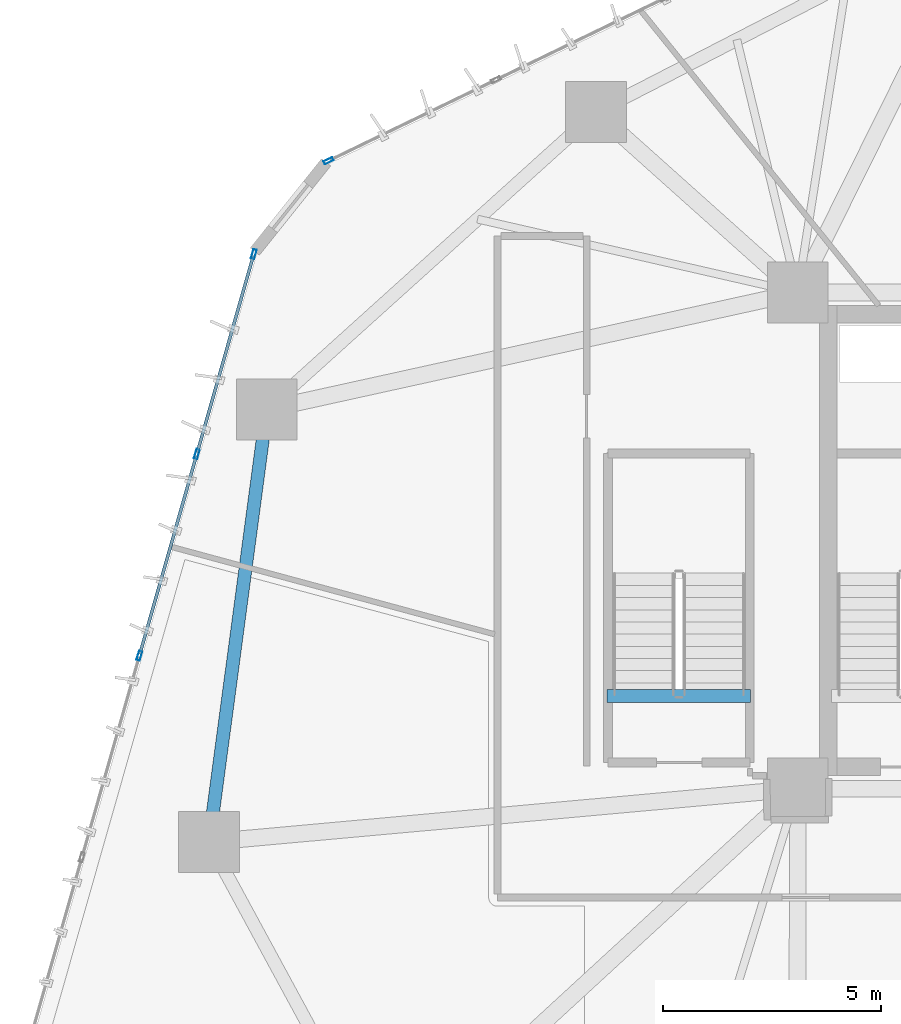
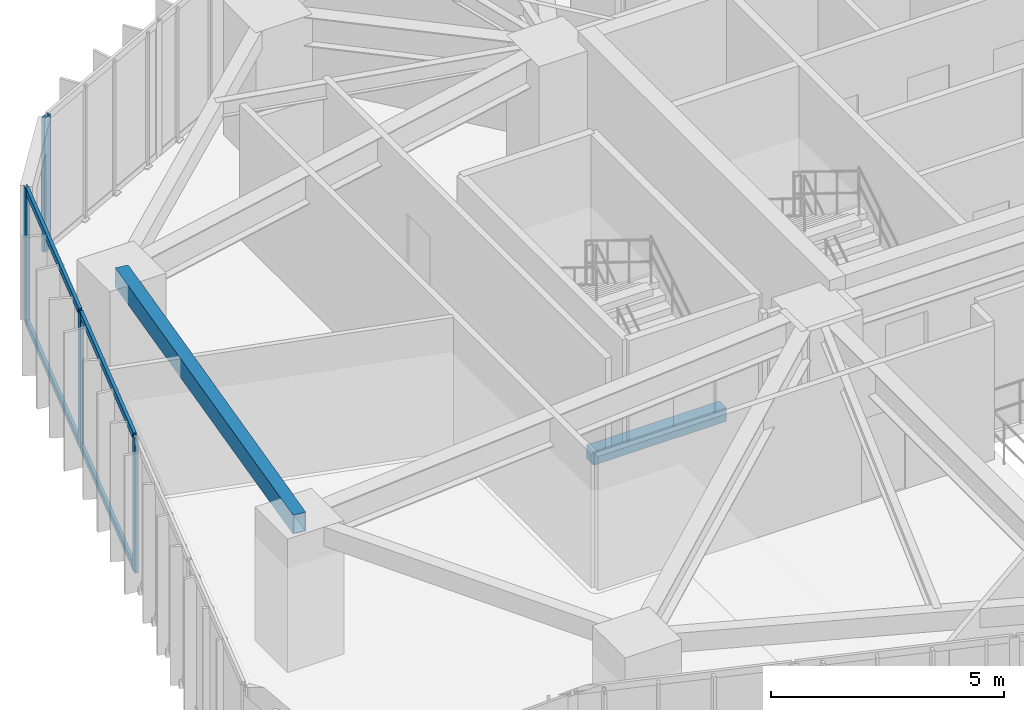
# One storey, part 6 of 23: 8 members, 2 beams, 2 elements without a shape of their own.
"""IFC4 building model written with IfcOpenShell, lengths in metres."""

from ifc_helpers import new_model, si_unit, direction, frame, origin, origin_2d, place, context, subcontext, project, spatial, rectangle, hollow_rectangle, extrude, source, transform, mapped, material, layer, layer_set, material_profile, profile_set, type_object, type_shapes, element, aggregate, save


model = new_model("IFC4")

# Units and contexts
model_context = context("Model", 3, precision=1e-05, world=origin(), true_north=direction((0.0, 1.0)))
body_context = subcontext(model_context, "Body", "Model", "MODEL_VIEW")
ifc_project = project(units=[si_unit("LENGTHUNIT", "METRE"), si_unit("AREAUNIT", "SQUARE_METRE"), si_unit("VOLUMEUNIT", "CUBIC_METRE"), si_unit("PLANEANGLEUNIT", "RADIAN"), si_unit("MASSUNIT", "GRAM", prefix="KILO")], contexts=[model_context])

# Site, building, storey
site_placement = place(None, origin())
site = spatial("IfcSite", under=ifc_project, at=site_placement, CompositionType="ELEMENT")
building_placement = place(site_placement, origin())
building = spatial("IfcBuilding", under=site, at=building_placement, Name="Talar Marvaseh", CompositionType="ELEMENT")
storey_placement = place(building_placement, frame((0.0, 0.0, 35.39990234375)))
storey = spatial("IfcBuildingStorey", under=building, at=storey_placement, Name="L08", CompositionType="ELEMENT", Elevation=35.39990234375)

# Beams
ifc_material_1 = material(Name="Concrete C40/50", Category="concrete")
ifc_material_profile_1 = material_profile(ifc_material_1, rectangle(XDim=0.300048828125, YDim=0.360107421875, at=origin_2d()), Name="RC300x360")
ifc_profile_set_1 = profile_set([ifc_material_profile_1], Name="Concrete C40/50")
beam_type_1 = type_object("IfcBeamType", Name="Concrete Stair Landing Trimmer Beam RC300x360", PredefinedType="SPANDREL", material=ifc_profile_set_1)
beam_1_placement = place(storey_placement, frame((17.6201171875, 27.6298828125, -0.179931640625), z_axis=(-1.0, 0.0, 0.0), x_axis=(0.0, -1.0, 0.0)))
element("IfcBeam", 1, at=beam_1_placement, inside=storey, type_object=beam_type_1, Name="L08 ST-3 Stair Nosing Trimmer Beam", PredefinedType="SPANDREL", context=body_context, shape_type="SweptSolid", body=[
    extrude(rectangle(XDim=0.300048828125, YDim=0.360107421875, at=origin_2d()), origin(), (0.0, 0.0, 1.0), 3.300048828125),
])
ifc_material_2 = material(Name="Steel S355", Category="steel")
ifc_material_profile_2 = material_profile(ifc_material_2, hollow_rectangle(XDim=0.300048828125, YDim=0.5, WallThickness=0.02001953125, at=origin_2d()), Name="RHS500x300x20")
ifc_profile_set_2 = profile_set([ifc_material_profile_2], Name="Steel S355")
beam_type_2 = type_object("IfcBeamType", Name="Zone 1 Perimeter Spandrel Beam RHS500x300x20", PredefinedType="SPANDREL", material=ifc_profile_set_2)
beam_2_placement = place(storey_placement, frame((5.175048828125, 24.27587890625, 3.27001953125), z_axis=(0.132340758564, 0.991204279461, 0.0), x_axis=(-0.991204279461, 0.132340758564, 0.0)))
element("IfcBeam", 2, at=beam_2_placement, inside=storey, type_object=beam_type_2, Name="L08 Zone 1 Perimeter Spandrel Beam RHS500x300x20", PredefinedType="SPANDREL", context=body_context, shape_type="SweptSolid", body=[
    extrude(hollow_rectangle(XDim=0.300048828125, YDim=0.5, WallThickness=0.02001953125, at=origin_2d()), origin(), (0.0, 0.0, 1.0), 10.0263671875),
])

# Curtain wall, members
ifc_material_3 = material(Name="Architectural Aluminium", Category="aluminium")
ifc_layer = layer(ifc_material_3, 0.219970703125)
ifc_layer_set = layer_set([ifc_layer], Name="Architectural Aluminium")
curtain_wall_type = type_object("IfcCurtainWallType", Name="Unitised Low-E Museum Curtain Wall Z1", PredefinedType="NOTDEFINED", material=ifc_layer_set)
curtain_wall_1_placement = place(storey_placement, origin())
curtain_wall_1 = element("IfcCurtainWall", 3, at=curtain_wall_1_placement, inside=storey, type_object=curtain_wall_type, Name="L08 Unitised Low-E Museum Curtain Wall Z1", PredefinedType="NOTDEFINED")
ifc_material_profile_3 = material_profile(ifc_material_3, hollow_rectangle(XDim=0.080078125, YDim=0.219970703125, WallThickness=0.0048828125, at=origin_2d()), Name="RHS220x80x5")
ifc_profile_set_3 = profile_set([ifc_material_profile_3], Name="Architectural Aluminium")
member_type_1 = type_object("IfcMemberType", Name="Unitised Curtain Wall Heavy Mullion RHS220x80x5", PredefinedType="MULLION", material=ifc_profile_set_3)
shared_shape_1 = source(origin(), body_context, "Body", "SweptSolid", [
    extrude(hollow_rectangle(XDim=0.080078125, YDim=0.219970703125, WallThickness=0.0048828125, at=origin_2d()), origin(), (0.0, 0.0, 1.0), 3.52001953125),
])
type_shapes(member_type_1, [shared_shape_1])
member_1_placement = place(storey_placement, frame((3.576416015625, 28.555908203125, 0.0), z_axis=(0.0, 0.0, 1.0), x_axis=(-0.961722496607, 0.274025253434, 0.0)))
member_1 = element("IfcMember", 4, at=member_1_placement, type_object=member_type_1, Name="CW-Z1 mullion 3", PredefinedType="MULLION", context=body_context, shape_type="MappedRepresentation", body=[
    mapped(shared_shape_1, transform((0.0, 0.0, 0.0), x_axis=(1.0, 0.0, 0.0), y_axis=(0.0, 1.0, 0.0), z_axis=(0.0, 0.0, 1.0), scale=1.0)),
])
member_2_placement = place(storey_placement, frame((4.896240234375, 33.18798828125, 0.0), z_axis=(0.0, 0.0, 1.0), x_axis=(-0.961722496607, 0.274025253434, 0.0)))
member_2 = element("IfcMember", 5, at=member_2_placement, type_object=member_type_1, Name="CW-Z1 mullion 4", PredefinedType="MULLION", context=body_context, shape_type="MappedRepresentation", body=[
    mapped(shared_shape_1, transform((0.0, 0.0, 0.0), x_axis=(1.0, 0.0, 0.0), y_axis=(0.0, 1.0, 0.0), z_axis=(0.0, 0.0, 1.0), scale=1.0)),
])
member_3_placement = place(storey_placement, frame((6.205322265625, 37.78173828125, 0.0), z_axis=(0.0, 0.0, 1.0), x_axis=(-0.961722496607, 0.274025253434, 0.0)))
member_3 = element("IfcMember", 6, at=member_3_placement, type_object=member_type_1, Name="CW-Z1 mullion 5", PredefinedType="MULLION", context=body_context, shape_type="MappedRepresentation", body=[
    mapped(shared_shape_1, transform((0.0, 0.0, 0.0), x_axis=(1.0, 0.0, 0.0), y_axis=(0.0, 1.0, 0.0), z_axis=(0.0, 0.0, 1.0), scale=1.0)),
])

# Curtain wall, member
curtain_wall_2_placement = place(storey_placement, origin())
curtain_wall_2 = element("IfcCurtainWall", 7, at=curtain_wall_2_placement, inside=storey, type_object=curtain_wall_type, Name="L08 Unitised Low-E Museum Curtain Wall Z1", PredefinedType="NOTDEFINED")
member_4_placement = place(storey_placement, frame((7.921142578125, 39.9248046875, 0.0), z_axis=(0.0, 0.0, 1.0), x_axis=(-0.435510159023, 0.900183815333, 0.0)))
member_4 = element("IfcMember", 8, at=member_4_placement, type_object=member_type_1, Name="CW-Z1 mullion 1", PredefinedType="MULLION", context=body_context, shape_type="MappedRepresentation", body=[
    mapped(shared_shape_1, transform((0.0, 0.0, 0.0), x_axis=(1.0, 0.0, 0.0), y_axis=(0.0, 1.0, 0.0), z_axis=(0.0, 0.0, 1.0), scale=1.0)),
])
aggregate(curtain_wall_2, [member_4])

# Member
ifc_material_profile_4 = material_profile(ifc_material_3, hollow_rectangle(XDim=0.074951171875, YDim=0.179931640625, WallThickness=0.0048828125, at=origin_2d()), Name="RHS180x75x5")
ifc_profile_set_4 = profile_set([ifc_material_profile_4], Name="Architectural Aluminium")
member_type_2 = type_object("IfcMemberType", Name="Unitised Curtain Wall Transom RHS180x75x5", PredefinedType="USERDEFINED", material=ifc_profile_set_4)
shared_shape_2 = source(origin(), body_context, "Body", "SweptSolid", [
    extrude(hollow_rectangle(XDim=0.074951171875, YDim=0.179931640625, WallThickness=0.0048828125, at=origin_2d()), origin(), (0.0, 0.0, 1.0), 4.736572265625),
])
member_5_placement = place(storey_placement, frame((3.58740234375, 28.59423828125, 0.03759765625), z_axis=(0.273999456782, 0.961729846518, 0.0), x_axis=(-0.961729846518, 0.273999456782, 0.0)))
member_5 = element("IfcMember", 9, at=member_5_placement, type_object=member_type_2, Name="CW-Z1 transom 3.1", ObjectType="TRANSOM", PredefinedType="USERDEFINED", context=body_context, shape_type="MappedRepresentation", body=[
    mapped(shared_shape_2, transform((0.0, 0.0, 0.0), x_axis=(1.0, 0.0, 0.0), y_axis=(0.0, 1.0, 0.0), z_axis=(0.0, 0.0, 1.0), scale=1.0)),
])

member_6_placement = place(storey_placement, frame((3.58740234375, 28.59423828125, 3.482666015625), z_axis=(0.273999456782, 0.961729846518, 0.0), x_axis=(-0.961729846518, 0.273999456782, 0.0)))
member_6 = element("IfcMember", 10, at=member_6_placement, type_object=member_type_2, Name="CW-Z1 transom 3.2", ObjectType="TRANSOM", PredefinedType="USERDEFINED", context=body_context, shape_type="MappedRepresentation", body=[
    mapped(shared_shape_2, transform((0.0, 0.0, 0.0), x_axis=(1.0, 0.0, 0.0), y_axis=(0.0, 1.0, 0.0), z_axis=(0.0, 0.0, 1.0), scale=1.0)),
])

shared_shape_3 = source(origin(), body_context, "Body", "SweptSolid", [
    extrude(hollow_rectangle(XDim=0.074951171875, YDim=0.179931640625, WallThickness=0.0048828125, at=origin_2d()), origin(), (0.0, 0.0, 1.0), 4.696533203125),
])
type_shapes(member_type_2, [shared_shape_2, shared_shape_3])
member_7_placement = place(storey_placement, frame((4.9072265625, 33.2265625, 0.03759765625), z_axis=(0.27404823914, 0.961715946953, 0.0), x_axis=(-0.961715946953, 0.27404823914, 0.0)))
member_7 = element("IfcMember", 11, at=member_7_placement, type_object=member_type_2, Name="CW-Z1 transom 4.1", ObjectType="TRANSOM", PredefinedType="USERDEFINED", context=body_context, shape_type="MappedRepresentation", body=[
    mapped(shared_shape_3, transform((0.0, 0.0, 0.0), x_axis=(1.0, 0.0, 0.0), y_axis=(0.0, 1.0, 0.0), z_axis=(0.0, 0.0, 1.0), scale=1.0)),
])

member_8_placement = place(storey_placement, frame((4.9072265625, 33.2265625, 3.482666015625), z_axis=(0.27404823914, 0.961715946953, 0.0), x_axis=(-0.961715946953, 0.27404823914, 0.0)))
member_8 = element("IfcMember", 12, at=member_8_placement, type_object=member_type_2, Name="CW-Z1 transom 4.2", ObjectType="TRANSOM", PredefinedType="USERDEFINED", context=body_context, shape_type="MappedRepresentation", body=[
    mapped(shared_shape_3, transform((0.0, 0.0, 0.0), x_axis=(1.0, 0.0, 0.0), y_axis=(0.0, 1.0, 0.0), z_axis=(0.0, 0.0, 1.0), scale=1.0)),
])

aggregate(curtain_wall_1, [member_1, member_2, member_3, member_5, member_6, member_7, member_8])

save(model, "model.ifc")
